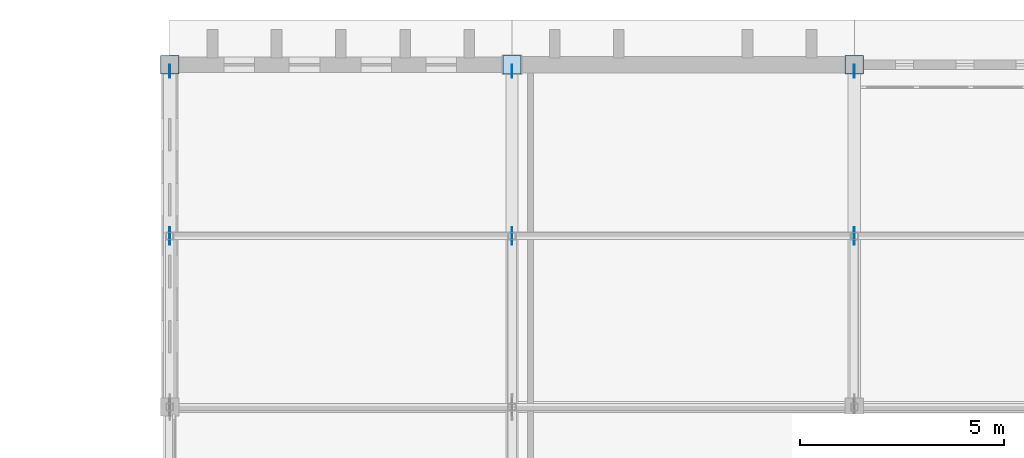
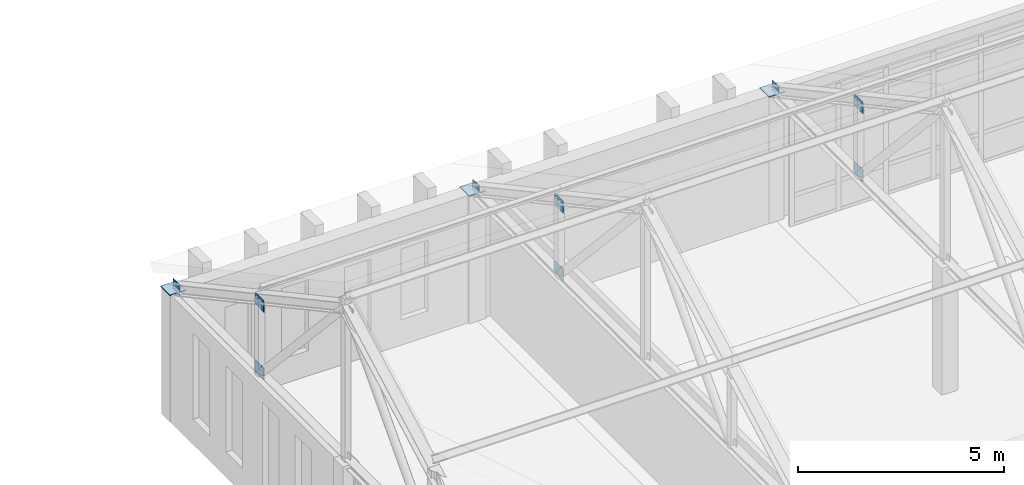
# One storey, part 75 of 110: 12 plates.
"""IFC4 building model written with IfcOpenShell, lengths in metres."""

from ifc_helpers import new_model, si_unit, direction, frame, origin, origin_2d, place, context, subcontext, project, spatial, rectangle, extrude, material, layer, layer_set, type_object, element, save


model = new_model("IFC4")

# Units and contexts
model_context = context("Model", 3, precision=1e-05, world=origin(), true_north=direction((0.0, 1.0)))
body_context = subcontext(model_context, "Body", "Model", "MODEL_VIEW")
ifc_project = project(units=[si_unit("LENGTHUNIT", "METRE"), si_unit("AREAUNIT", "SQUARE_METRE"), si_unit("VOLUMEUNIT", "CUBIC_METRE"), si_unit("PLANEANGLEUNIT", "RADIAN"), si_unit("MASSUNIT", "GRAM", prefix="KILO")], contexts=[model_context])

# Site, building, storey
site_placement = place(None, origin())
site = spatial("IfcSite", under=ifc_project, at=site_placement, CompositionType="ELEMENT")
building_placement = place(site_placement, origin())
building = spatial("IfcBuilding", under=site, at=building_placement, Name="Kveldsbrygga Polytechnic", CompositionType="ELEMENT")
storey_placement = place(building_placement, frame((0.0, 0.0, 9.860107421875)))
storey = spatial("IfcBuildingStorey", under=building, at=storey_placement, Name="L02", CompositionType="ELEMENT", Elevation=9.860107421875)

# Plates
ifc_material = material(Name="Steel S355", Category="steel")
ifc_layer_1 = layer(ifc_material, 0.030029296875)
ifc_layer_set_1 = layer_set([ifc_layer_1], Name="Steel S355")
plate_type_1 = type_object("IfcPlateType", Name="CAP-BEAR-450", PredefinedType="SHEET", material=ifc_layer_set_1)
for number, where, z_axis, x_axis, name in (
    (1, (42.0, 117.60009765625, 3.75), (0.0, 0.0, 1.0), (1.0, 0.0, 0.0), "Truss Bearing Plate V2L2-T01-B"),
    (2, (50.39990234375, 117.60009765625, 3.75), (0.0, 0.0, 1.0), (1.0, 0.0, 0.0), "Truss Bearing Plate V2L2-T02-B"),
    (3, (58.800048828125, 117.60009765625, 3.75), (0.0, 0.0, 1.0), (1.0, 0.0, 0.0), "Truss Bearing Plate V2L2-T03-B"),
):
    element("IfcPlate", number, at=place(storey_placement, frame(where, z_axis=z_axis, x_axis=x_axis)), inside=storey, type_object=plate_type_1, Name=name, PredefinedType="SHEET", context=body_context, shape_type="SweptSolid", body=[
        extrude(rectangle(XDim=0.449951171875, YDim=0.449951171875, at=origin_2d()), origin(), (0.0, 0.0, 1.0), 0.030029296875),
    ])
ifc_layer_2 = layer(ifc_material, 0.01806640625)
ifc_layer_set_2 = layer_set([ifc_layer_2], Name="Steel S355")
plate_type_2 = type_object("IfcPlateType", Name="GUS-BRACE-320", PredefinedType="SHEET", material=ifc_layer_set_2)
for number, where, z_axis, x_axis, name in (
    (4, (42.0, 117.43994140625, 3.73974609375), (0.0, 0.0, 1.0), (1.0, 0.0, 0.0), "Truss Eaves Node Gusset V2L2-T01-EGP-B"),
    (5, (50.39990234375, 117.43994140625, 3.73974609375), (0.0, 0.0, 1.0), (1.0, 0.0, 0.0), "Truss Eaves Node Gusset V2L2-T02-EGP-B"),
    (6, (58.800048828125, 117.43994140625, 3.73974609375), (0.0, 0.0, 1.0), (1.0, 0.0, 0.0), "Truss Eaves Node Gusset V2L2-T03-EGP-B"),
):
    element("IfcPlate", number, at=place(storey_placement, frame(where, z_axis=z_axis, x_axis=x_axis)), inside=storey, type_object=plate_type_2, Name=name, PredefinedType="SHEET", context=body_context, shape_type="SweptSolid", body=[
        extrude(rectangle(XDim=0.01806640625, YDim=0.320068359375, at=origin_2d()), origin(), (0.0, 0.0, 1.0), 0.320068359375),
    ])
ifc_layer_3 = layer(ifc_material, 0.02001953125)
ifc_layer_set_3 = layer_set([ifc_layer_3], Name="Steel S355")
plate_type_3 = type_object("IfcPlateType", Name="GUS-LECT-420", PredefinedType="SHEET", material=ifc_layer_set_3)
for number, where, z_axis, x_axis, name in (
    (7, (42.0, 113.39990234375, 5.729736328125), (0.0, 0.0, 1.0), (1.0, 0.0, 0.0), "Truss Gusset Plate V2L2-T01-GP-3"),
    (8, (42.0, 113.39990234375, 3.724853515625), (0.0, 0.0, 1.0), (1.0, 0.0, 0.0), "Truss Bottom-Chord Node Gusset V2L2-T01-BGP-3"),
    (9, (50.39990234375, 113.39990234375, 5.729736328125), (0.0, 0.0, 1.0), (1.0, 0.0, 0.0), "Truss Gusset Plate V2L2-T02-GP-3"),
    (10, (50.39990234375, 113.39990234375, 3.724853515625), (0.0, 0.0, 1.0), (1.0, 0.0, 0.0), "Truss Bottom-Chord Node Gusset V2L2-T02-BGP-3"),
    (11, (58.800048828125, 113.39990234375, 5.729736328125), (0.0, 0.0, 1.0), (1.0, 0.0, 0.0), "Truss Gusset Plate V2L2-T03-GP-3"),
    (12, (58.800048828125, 113.39990234375, 3.724853515625), (0.0, 0.0, 1.0), (1.0, 0.0, 0.0), "Truss Bottom-Chord Node Gusset V2L2-T03-BGP-3"),
):
    element("IfcPlate", number, at=place(storey_placement, frame(where, z_axis=z_axis, x_axis=x_axis)), inside=storey, type_object=plate_type_3, Name=name, PredefinedType="SHEET", context=body_context, shape_type="SweptSolid", body=[
        extrude(rectangle(XDim=0.02001953125, YDim=0.419921875, at=origin_2d()), origin(), (0.0, 0.0, 1.0), 0.35009765625),
    ])

save(model, "model.ifc")
